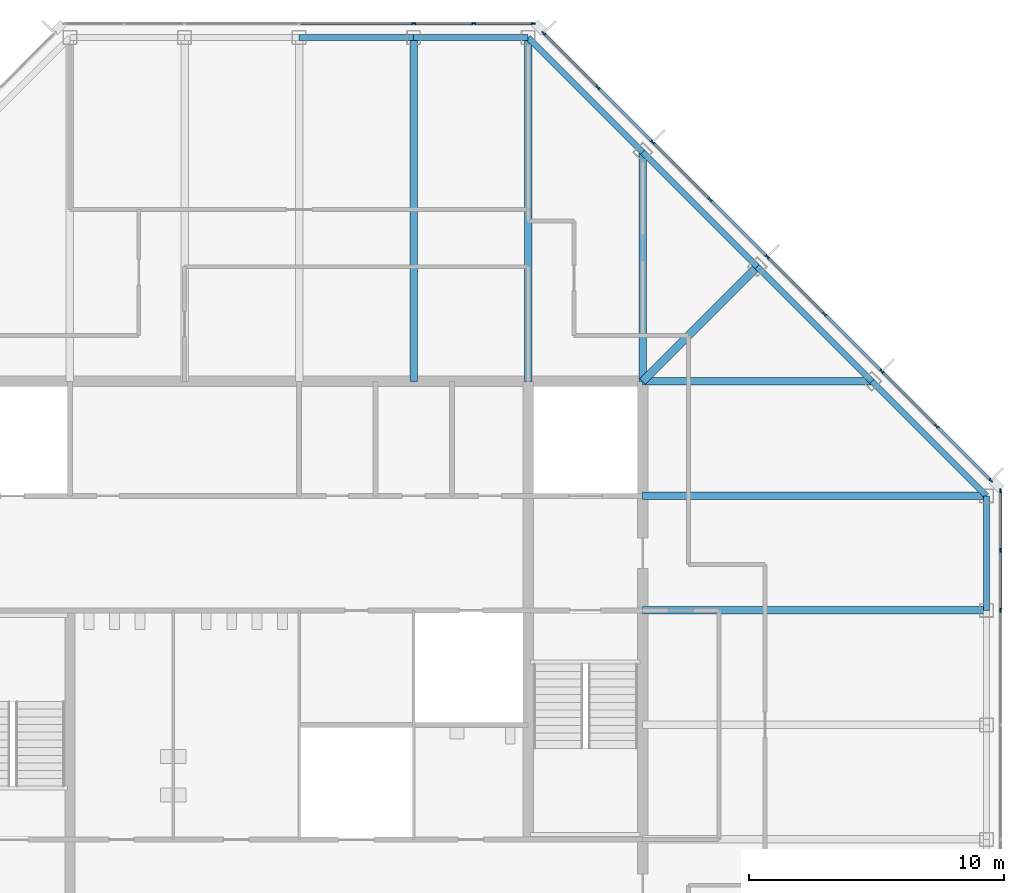
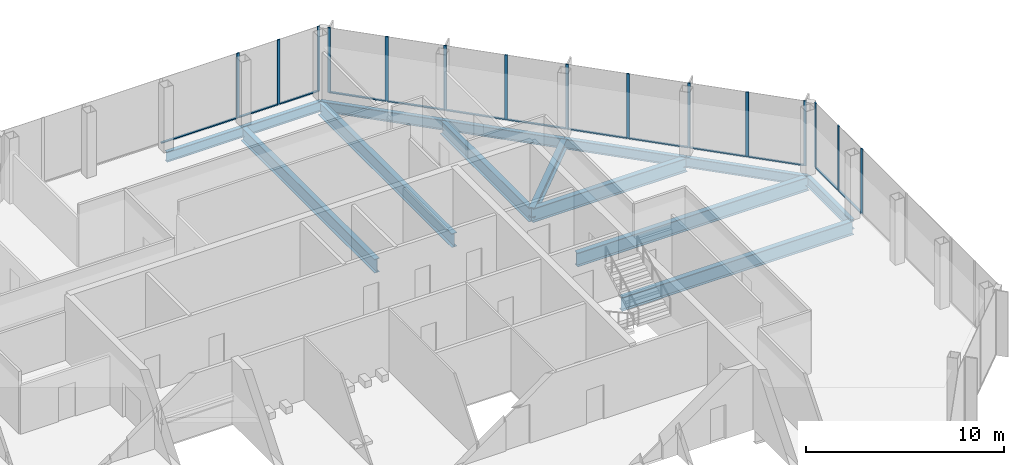
# One storey, part 7 of 13: 28 members, 14 beams, 3 elements without a shape of their own.
"""IFC4 building model written with IfcOpenShell, lengths in metres."""

import ifcopenshell
import ifcopenshell.guid

model = None  # the IFC model being written
_history = None  # IfcOwnerHistory: only IFC2X3 demands one
_inside = {}  # id of a spatial element -> (the spatial element, [elements in it])
_under = {}  # id of a project, library or spatial element -> (it, [spatial elements below it])
_declared = {}  # id of a project -> (the project, [libraries it declares])
_typed = {}  # id of a type object -> (the type object, [elements of that type])
_made_of = {}  # id of a material, layer set ... -> (it, [elements and type objects made of it])


def new_model(schema):
    """Start an empty IFC model of exactly this schema.

    Asked for "IFC4X3", IfcOpenShell would pick the latest addendum, in which some entities
    have other attributes; the version numbers below select the first issue.
    IFC2X3 requires an IfcOwnerHistory on every rooted entity: one is made here for all.
    """
    global model, _history
    if schema == "IFC4X3":
        model = ifcopenshell.file(schema_version=(4, 3, 0, 0))
    else:
        model = ifcopenshell.file(schema=schema)
    _inside.clear()
    _under.clear()
    _declared.clear()
    _typed.clear()
    _made_of.clear()
    _history = None
    if model.schema == "IFC2X3":
        org = make("IfcOrganization", Name="unknown")
        user = make(
            "IfcPersonAndOrganization",
            ThePerson=make("IfcPerson", FamilyName="unknown"),
            TheOrganization=org,
        )
        app = make(
            "IfcApplication",
            ApplicationDeveloper=org,
            Version="unknown",
            ApplicationFullName="unknown",
            ApplicationIdentifier="unknown",
        )
        _history = make(
            "IfcOwnerHistory",
            OwningUser=user,
            OwningApplication=app,
            ChangeAction="ADDED",
            CreationDate=0,
        )
    return model


def make(cls, **values):
    """One entity of the class cls with the attributes given. An attribute that is None is left unset."""
    return model.create_entity(
        cls, **{name: value for name, value in values.items() if value is not None}
    )


def rooted(cls, **values):
    """An entity with a GlobalId (a new one), such as an element, a storey or a relation."""
    return make(cls, GlobalId=ifcopenshell.guid.new(), OwnerHistory=_history, **values)


def si_unit(unit_type, name, prefix=None):
    """IfcSIUnit, for example si_unit("LENGTHUNIT", "METRE", prefix="MILLI")."""
    return make("IfcSIUnit", UnitType=unit_type, Prefix=prefix, Name=name)


def assignment(units):
    """IfcUnitAssignment: the units of a project."""
    return None if units is None else make("IfcUnitAssignment", Units=units)


def point(xyz):
    """IfcCartesianPoint."""
    return None if xyz is None else make("IfcCartesianPoint", Coordinates=xyz)


def direction(xyz):
    """IfcDirection."""
    return None if xyz is None else make("IfcDirection", DirectionRatios=xyz)


def frame(location, z_axis=None, x_axis=None):
    """IfcAxis2Placement3D, a coordinate frame: its origin and axes. An axis left out is left unset."""
    return make(
        "IfcAxis2Placement3D",
        Location=point(location),
        Axis=direction(z_axis),
        RefDirection=direction(x_axis),
    )


def frame_2d(location, x_axis=None):
    """IfcAxis2Placement2D, a coordinate frame in the plane: its origin and x axis."""
    return make(
        "IfcAxis2Placement2D", Location=point(location), RefDirection=direction(x_axis)
    )


def origin():
    """The frame at (0, 0, 0) with its axes left unset."""
    return frame((0.0, 0.0, 0.0))


def origin_2d():
    """The frame at (0, 0) in the plane with its x axis left unset."""
    return frame_2d((0.0, 0.0))


def place(relative_to, where):
    """IfcLocalPlacement: puts the frame where relative to a parent placement (None: the world)."""
    return make(
        "IfcLocalPlacement", PlacementRelTo=relative_to, RelativePlacement=where
    )


def context(
    kind, dimensions, precision=None, world=None, true_north=None, identifier=None
):
    """IfcGeometricRepresentationContext, for example the 3D "Model" context."""
    return make(
        "IfcGeometricRepresentationContext",
        ContextIdentifier=identifier,
        ContextType=kind,
        CoordinateSpaceDimension=dimensions,
        Precision=precision,
        WorldCoordinateSystem=world,
        TrueNorth=true_north,
    )


def subcontext(parent, identifier, kind, view, scale=None):
    """IfcGeometricRepresentationSubContext, for example "Body" below "Model"."""
    return make(
        "IfcGeometricRepresentationSubContext",
        ContextIdentifier=identifier,
        ContextType=kind,
        ParentContext=parent,
        TargetScale=scale,
        TargetView=view,
    )


def project(units=None, contexts=None):
    """IfcProject with its units and contexts."""
    return rooted(
        "IfcProject",
        Name="project",
        RepresentationContexts=contexts,
        UnitsInContext=assignment(units),
    )


def spatial(cls, under=None, at=None, **own):
    """A site, building, storey or space (cls), placed at a placement, below another one or the project."""
    s = rooted(cls, ObjectPlacement=at, **own)
    if under is not None:
        _under.setdefault(under.id(), (under, []))[1].append(s)
    return s


def profile(cls, at=None, kind="AREA", **sizes):
    """A parametric profile (cls). Its sizes go by their IFC names, for example OverallWidth=200.0."""
    return make(cls, ProfileType=kind, Position=at, **sizes)


def rectangle(**sizes):
    """IfcRectangleProfileDef."""
    return profile("IfcRectangleProfileDef", **sizes)


def i_section(**sizes):
    """IfcIShapeProfileDef."""
    return profile("IfcIShapeProfileDef", **sizes)


def extrude(swept, where, along, depth):
    """IfcExtrudedAreaSolid: the profile swept, set in the frame where, extruded along a direction by depth."""
    return make(
        "IfcExtrudedAreaSolid",
        SweptArea=swept,
        Position=where,
        ExtrudedDirection=direction(along),
        Depth=depth,
    )


def shape(context_of_items, identifier, shape_type, items):
    """IfcShapeRepresentation: the items that make up one representation, for example the "Body"."""
    return make(
        "IfcShapeRepresentation",
        ContextOfItems=context_of_items,
        RepresentationIdentifier=identifier,
        RepresentationType=shape_type,
        Items=items,
    )


def material(Name=None, Category=None):
    """IfcMaterial."""
    return make("IfcMaterial", Name=Name, Category=Category)


def material_profile(
    of_material, cross_section, Name=None, Category=None, Priority=None
):
    """IfcMaterialProfile: a cross section and its material."""
    return make(
        "IfcMaterialProfile",
        Name=Name,
        Material=of_material,
        Profile=cross_section,
        Priority=Priority,
        Category=Category,
    )


def profile_set(profiles, Name=None, composite=None):
    """IfcMaterialProfileSet."""
    return make(
        "IfcMaterialProfileSet",
        Name=Name,
        MaterialProfiles=profiles,
        CompositeProfile=composite,
    )


def made_of(thing, what):
    """Note that an element or type object is made of a material, layer set ...; save() writes the relation."""
    if what is not None:
        _made_of.setdefault(what.id(), (what, []))[1].append(thing)
    return thing


def type_object(cls, material=None, **own):
    """A type object (cls), such as IfcWallType, which elements share."""
    return made_of(rooted(cls, **own), material)


def element(
    cls,
    number,
    at=None,
    inside=None,
    cuts=None,
    type_object=None,
    material=None,
    context=None,
    identifier="Body",
    shape_type=None,
    held_by="IfcProductDefinitionShape",
    body=None,
    shapes=None,
    **own,
):
    """One element of the class cls, such as IfcWall. Its Tag is "e" and its number.

    at: its placement. inside: the storey or other place that contains it. cuts: it is an
    opening in that element (IfcRelVoidsElement). A single representation is given by context,
    identifier, shape_type and body (its items); several are given by shapes. held_by: the class
    of the entity that holds the representations. save() writes the other relations.
    """
    e = rooted(cls, Tag="e%d" % number, ObjectPlacement=at, **own)
    if body is not None:
        shapes = [shape(context, identifier, shape_type, body)]
    if shapes is not None:
        e.Representation = make(held_by, Representations=shapes)
    if inside is not None:
        _inside.setdefault(inside.id(), (inside, []))[1].append(e)
    if cuts is not None:
        rooted(
            "IfcRelVoidsElement", RelatingBuildingElement=cuts, RelatedOpeningElement=e
        )
    if type_object is not None:
        _typed.setdefault(type_object.id(), (type_object, []))[1].append(e)
    return made_of(e, material)


def aggregate(whole, parts):
    """IfcRelAggregates: a whole, such as a stair, and the parts it consists of."""
    return rooted("IfcRelAggregates", RelatingObject=whole, RelatedObjects=parts)


def save(model, path):
    """Write the relations noted so far, then the file.

    IfcRelAggregates (storeys below a building ...), IfcRelContainedInSpatialStructure (elements
    in a storey), IfcRelDefinesByType, IfcRelAssociatesMaterial and IfcRelDeclares: one each for
    every whole, place, type object, material and project.
    """
    for whole, parts in _under.values():
        aggregate(whole, parts)
    for where, things in _inside.values():
        rooted(
            "IfcRelContainedInSpatialStructure",
            RelatedElements=things,
            RelatingStructure=where,
        )
    for kind, things in _typed.values():
        rooted("IfcRelDefinesByType", RelatedObjects=things, RelatingType=kind)
    for what, things in _made_of.values():
        rooted("IfcRelAssociatesMaterial", RelatedObjects=things, RelatingMaterial=what)
    for by, libraries in _declared.values():
        rooted("IfcRelDeclares", RelatingContext=by, RelatedDefinitions=libraries)
    model.write(path)


model = new_model("IFC4")

# Units and contexts
model_context = context("Model", 3, precision=1e-05, world=origin(), true_north=direction((0.0, 1.0)))
body_context = subcontext(model_context, "Body", "Model", "MODEL_VIEW")
ifc_project = project(units=[si_unit("LENGTHUNIT", "METRE"), si_unit("AREAUNIT", "SQUARE_METRE"), si_unit("VOLUMEUNIT", "CUBIC_METRE"), si_unit("PLANEANGLEUNIT", "RADIAN"), si_unit("MASSUNIT", "GRAM", prefix="KILO")], contexts=[model_context])

# Site, building, storey
site_placement = place(None, origin())
site = spatial("IfcSite", under=ifc_project, at=site_placement, CompositionType="ELEMENT")
building_placement = place(site_placement, origin())
building = spatial("IfcBuilding", under=site, at=building_placement, Name="Corais Broadcast Tower", CompositionType="ELEMENT")
storey_placement = place(building_placement, frame((0.0, 0.0, 302.60009765625)))
storey = spatial("IfcBuildingStorey", under=building, at=storey_placement, Name="L71", CompositionType="ELEMENT", Elevation=302.60009765625)

# Beams
ifc_material_1 = material(Name="Steel ASTM A572 Grade 50", Category="steel")
ifc_material_profile_1 = material_profile(ifc_material_1, i_section(OverallWidth=0.323974609375, OverallDepth=0.611083984375, WebThickness=0.0126953125, FlangeThickness=0.01904296875, at=origin_2d()), Name="W610x155")
ifc_profile_set_1 = profile_set([ifc_material_profile_1], Name="Steel ASTM A572 Grade 50")
beam_type_1 = type_object("IfcBeamType", Name="Corner diagonal W610x155", PredefinedType="BEAM", material=ifc_profile_set_1)
beam_1_placement = place(storey_placement, frame((45.0, 45.0, -0.465576171875), z_axis=(-0.707106781187, -0.707106781187, 0.0), x_axis=(0.707106781187, -0.707106781187, 0.0)))
element("IfcBeam", 1, at=beam_1_placement, inside=storey, type_object=beam_type_1, Name="B6 L/13 to K/12", PredefinedType="BEAM", context=body_context, shape_type="SweptSolid", body=[
    extrude(i_section(OverallWidth=0.323974609375, OverallDepth=0.611083984375, WebThickness=0.0126953125, FlangeThickness=0.01904296875, at=origin_2d()), origin(), (0.0, 0.0, 1.0), 6.364013671875),
])
ifc_material_2 = material(Name="Steel ASTM A572 Grade 50", Category="steel")
ifc_material_profile_2 = material_profile(ifc_material_2, i_section(OverallWidth=0.2939453125, OverallDepth=0.85107421875, WebThickness=0.01611328125, FlangeThickness=0.02685546875, at=origin_2d()), Name="W840x226")
ifc_profile_set_2 = profile_set([ifc_material_profile_2], Name="Steel ASTM A572 Grade 50")
beam_type_2 = type_object("IfcBeamType", Name="Floor beam W840x226", PredefinedType="BEAM", material=ifc_profile_set_2)
for number, where, z_axis, x_axis, name in (
    (2, (31.5, 54.0, -0.585693359375), (0.0, -1.0, 0.0), (1.0, 0.0, 0.0), "B1 N/10 to K/10"),
    (3, (36.0, 54.0, -0.585693359375), (0.0, -1.0, 0.0), (1.0, 0.0, 0.0), "B1 N/11 to K/11"),
):
    element("IfcBeam", number, at=place(storey_placement, frame(where, z_axis=z_axis, x_axis=x_axis)), inside=storey, type_object=beam_type_2, Name=name, PredefinedType="BEAM", context=body_context, shape_type="SweptSolid", body=[
        extrude(i_section(OverallWidth=0.2939453125, OverallDepth=0.85107421875, WebThickness=0.01611328125, FlangeThickness=0.02685546875, at=origin_2d()), origin(), (0.0, 0.0, 1.0), 13.5),
    ])
for number, where, z_axis, x_axis, name in (
    (4, (40.5, 49.5, -0.585693359375), (0.0, -1.0, 0.0), (1.0, 0.0, 0.0), "B1 M/12 to K/12"),
    (5, (49.5, 40.5, -0.585693359375), (-1.0, 0.0, 0.0), (0.0, -1.0, 0.0), "B1 K/14 to K/12"),
):
    element("IfcBeam", number, at=place(storey_placement, frame(where, z_axis=z_axis, x_axis=x_axis)), inside=storey, type_object=beam_type_2, Name=name, PredefinedType="BEAM", context=body_context, shape_type="SweptSolid", body=[
        extrude(i_section(OverallWidth=0.2939453125, OverallDepth=0.85107421875, WebThickness=0.01611328125, FlangeThickness=0.02685546875, at=origin_2d()), origin(), (0.0, 0.0, 1.0), 9.0),
    ])
for number, where, z_axis, x_axis, name in (
    (6, (54.0, 31.5, -0.585693359375), (-1.0, 0.0, 0.0), (0.0, -1.0, 0.0), "B1 H/15 to H/12"),
    (7, (54.0, 36.0, -0.585693359375), (-1.0, 0.0, 0.0), (0.0, -1.0, 0.0), "B1 J/15 to J/12"),
):
    element("IfcBeam", number, at=place(storey_placement, frame(where, z_axis=z_axis, x_axis=x_axis)), inside=storey, type_object=beam_type_2, Name=name, PredefinedType="BEAM", context=body_context, shape_type="SweptSolid", body=[
        extrude(i_section(OverallWidth=0.2939453125, OverallDepth=0.85107421875, WebThickness=0.01611328125, FlangeThickness=0.02685546875, at=origin_2d()), origin(), (0.0, 0.0, 1.0), 13.5),
    ])

# Curtain wall, members
ifc_material_3 = material(Name="Aluminium and glass", Category="aluminium")
curtain_wall_type = type_object("IfcCurtainWallType", Name="Unitised fritted curtain wall CW3", PredefinedType="NOTDEFINED", material=ifc_material_3)
curtain_wall_1_placement = place(storey_placement, origin())
curtain_wall_1 = element("IfcCurtainWall", 8, at=curtain_wall_1_placement, inside=storey, type_object=curtain_wall_type, Name="CW3 curtain wall L71 4", PredefinedType="NOTDEFINED")
ifc_material_4 = material(Name="Aluminium 6063-T6", Category="aluminium")
ifc_material_profile_3 = material_profile(ifc_material_4, rectangle(XDim=0.06494140625, YDim=0.159912109375, at=origin_2d()), Name="Mullion CW3 65x160")
ifc_profile_set_3 = profile_set([ifc_material_profile_3], Name="Aluminium 6063-T6")
member_type_1 = type_object("IfcMemberType", Name="Mullion CW3 65x160", PredefinedType="MULLION", material=ifc_profile_set_3)
member_1_placement = place(storey_placement, frame((31.5, 54.550048828125, 0.0), z_axis=(0.0, 0.0, 1.0), x_axis=(0.0, 1.0, 0.0)))
member_1 = element("IfcMember", 9, at=member_1_placement, type_object=member_type_1, Name="CW3 mullion 5", PredefinedType="MULLION", context=body_context, shape_type="SweptSolid", body=[
    extrude(rectangle(XDim=0.06494140625, YDim=0.159912109375, at=origin_2d()), origin(), (0.0, 0.0, 1.0), 4.0),
])
member_2_placement = place(storey_placement, frame((33.864013671875, 54.550048828125, 0.0), z_axis=(0.0, 0.0, 1.0), x_axis=(0.0, 1.0, 0.0)))
member_2 = element("IfcMember", 10, at=member_2_placement, type_object=member_type_1, Name="CW3 mullion 6", PredefinedType="MULLION", context=body_context, shape_type="SweptSolid", body=[
    extrude(rectangle(XDim=0.06494140625, YDim=0.159912109375, at=origin_2d()), origin(), (0.0, 0.0, 1.0), 4.0),
])
member_3_placement = place(storey_placement, frame((36.1953125, 54.550048828125, 0.0), z_axis=(0.0, 0.0, 1.0), x_axis=(0.0, 1.0, 0.0)))
member_3 = element("IfcMember", 11, at=member_3_placement, type_object=member_type_1, Name="CW3 mullion 7", PredefinedType="MULLION", context=body_context, shape_type="SweptSolid", body=[
    extrude(rectangle(XDim=0.06494140625, YDim=0.159912109375, at=origin_2d()), origin(), (0.0, 0.0, 1.0), 4.0),
])

curtain_wall_2_placement = place(storey_placement, origin())
curtain_wall_2 = element("IfcCurtainWall", 12, at=curtain_wall_2_placement, inside=storey, type_object=curtain_wall_type, Name="CW3 curtain wall L71 5", PredefinedType="NOTDEFINED")
member_4_placement = place(storey_placement, frame((36.6044921875, 54.17333984375, 0.0), z_axis=(0.0, 0.0, 1.0), x_axis=(0.707106781187, 0.707106781187, 0.0)))
member_4 = element("IfcMember", 13, at=member_4_placement, type_object=member_type_1, Name="CW3 mullion 1", PredefinedType="MULLION", context=body_context, shape_type="SweptSolid", body=[
    extrude(rectangle(XDim=0.06494140625, YDim=0.159912109375, at=origin_2d()), origin(), (0.0, 0.0, 1.0), 4.0),
])
member_5_placement = place(storey_placement, frame((38.735107421875, 52.042724609375, 0.0), z_axis=(0.0, 0.0, 1.0), x_axis=(0.707106781187, 0.707106781187, 0.0)))
member_5 = element("IfcMember", 14, at=member_5_placement, type_object=member_type_1, Name="CW3 mullion 2", PredefinedType="MULLION", context=body_context, shape_type="SweptSolid", body=[
    extrude(rectangle(XDim=0.06494140625, YDim=0.159912109375, at=origin_2d()), origin(), (0.0, 0.0, 1.0), 4.0),
])
member_6_placement = place(storey_placement, frame((40.888916015625, 49.888916015625, 0.0), z_axis=(0.0, 0.0, 1.0), x_axis=(0.707106781187, 0.707106781187, 0.0)))
member_6 = element("IfcMember", 15, at=member_6_placement, type_object=member_type_1, Name="CW3 mullion 3", PredefinedType="MULLION", context=body_context, shape_type="SweptSolid", body=[
    extrude(rectangle(XDim=0.06494140625, YDim=0.159912109375, at=origin_2d()), origin(), (0.0, 0.0, 1.0), 4.0),
])
member_7_placement = place(storey_placement, frame((43.138916015625, 47.638916015625, 0.0), z_axis=(0.0, 0.0, 1.0), x_axis=(0.707106781187, 0.707106781187, 0.0)))
member_7 = element("IfcMember", 16, at=member_7_placement, type_object=member_type_1, Name="CW3 mullion 4", PredefinedType="MULLION", context=body_context, shape_type="SweptSolid", body=[
    extrude(rectangle(XDim=0.06494140625, YDim=0.159912109375, at=origin_2d()), origin(), (0.0, 0.0, 1.0), 4.0),
])
member_8_placement = place(storey_placement, frame((45.388916015625, 45.388916015625, 0.0), z_axis=(0.0, 0.0, 1.0), x_axis=(0.707106781187, 0.707106781187, 0.0)))
member_8 = element("IfcMember", 17, at=member_8_placement, type_object=member_type_1, Name="CW3 mullion 5", PredefinedType="MULLION", context=body_context, shape_type="SweptSolid", body=[
    extrude(rectangle(XDim=0.06494140625, YDim=0.159912109375, at=origin_2d()), origin(), (0.0, 0.0, 1.0), 4.0),
])
member_9_placement = place(storey_placement, frame((47.638916015625, 43.138916015625, 0.0), z_axis=(0.0, 0.0, 1.0), x_axis=(0.707106781187, 0.707106781187, 0.0)))
member_9 = element("IfcMember", 18, at=member_9_placement, type_object=member_type_1, Name="CW3 mullion 6", PredefinedType="MULLION", context=body_context, shape_type="SweptSolid", body=[
    extrude(rectangle(XDim=0.06494140625, YDim=0.159912109375, at=origin_2d()), origin(), (0.0, 0.0, 1.0), 4.0),
])
member_10_placement = place(storey_placement, frame((49.888916015625, 40.888916015625, 0.0), z_axis=(0.0, 0.0, 1.0), x_axis=(0.707106781187, 0.707106781187, 0.0)))
member_10 = element("IfcMember", 19, at=member_10_placement, type_object=member_type_1, Name="CW3 mullion 7", PredefinedType="MULLION", context=body_context, shape_type="SweptSolid", body=[
    extrude(rectangle(XDim=0.06494140625, YDim=0.159912109375, at=origin_2d()), origin(), (0.0, 0.0, 1.0), 4.0),
])
member_11_placement = place(storey_placement, frame((52.042724609375, 38.735107421875, 0.0), z_axis=(0.0, 0.0, 1.0), x_axis=(0.707106781187, 0.707106781187, 0.0)))
member_11 = element("IfcMember", 20, at=member_11_placement, type_object=member_type_1, Name="CW3 mullion 8", PredefinedType="MULLION", context=body_context, shape_type="SweptSolid", body=[
    extrude(rectangle(XDim=0.06494140625, YDim=0.159912109375, at=origin_2d()), origin(), (0.0, 0.0, 1.0), 4.0),
])
member_12_placement = place(storey_placement, frame((54.17333984375, 36.6044921875, 0.0), z_axis=(0.0, 0.0, 1.0), x_axis=(0.707106781187, 0.707106781187, 0.0)))
member_12 = element("IfcMember", 21, at=member_12_placement, type_object=member_type_1, Name="CW3 mullion 9", PredefinedType="MULLION", context=body_context, shape_type="SweptSolid", body=[
    extrude(rectangle(XDim=0.06494140625, YDim=0.159912109375, at=origin_2d()), origin(), (0.0, 0.0, 1.0), 4.0),
])

curtain_wall_3_placement = place(storey_placement, origin())
curtain_wall_3 = element("IfcCurtainWall", 22, at=curtain_wall_3_placement, inside=storey, type_object=curtain_wall_type, Name="CW3 curtain wall L71 6", PredefinedType="NOTDEFINED")
member_13_placement = place(storey_placement, frame((54.550048828125, 36.1953125, 0.0), z_axis=(0.0, 0.0, 1.0), x_axis=(1.0, 0.0, 0.0)))
member_13 = element("IfcMember", 23, at=member_13_placement, type_object=member_type_1, Name="CW3 mullion 1", PredefinedType="MULLION", context=body_context, shape_type="SweptSolid", body=[
    extrude(rectangle(XDim=0.06494140625, YDim=0.159912109375, at=origin_2d()), origin(), (0.0, 0.0, 1.0), 4.0),
])
member_14_placement = place(storey_placement, frame((54.550048828125, 33.864013671875, 0.0), z_axis=(0.0, 0.0, 1.0), x_axis=(1.0, 0.0, 0.0)))
member_14 = element("IfcMember", 24, at=member_14_placement, type_object=member_type_1, Name="CW3 mullion 2", PredefinedType="MULLION", context=body_context, shape_type="SweptSolid", body=[
    extrude(rectangle(XDim=0.06494140625, YDim=0.159912109375, at=origin_2d()), origin(), (0.0, 0.0, 1.0), 4.0),
])
member_15_placement = place(storey_placement, frame((54.550048828125, 31.5, 0.0), z_axis=(0.0, 0.0, 1.0), x_axis=(1.0, 0.0, 0.0)))
member_15 = element("IfcMember", 25, at=member_15_placement, type_object=member_type_1, Name="CW3 mullion 3", PredefinedType="MULLION", context=body_context, shape_type="SweptSolid", body=[
    extrude(rectangle(XDim=0.06494140625, YDim=0.159912109375, at=origin_2d()), origin(), (0.0, 0.0, 1.0), 4.0),
])

# Beams
ifc_material_5 = material(Name="Steel ASTM A572 Grade 50", Category="steel")
ifc_material_profile_4 = material_profile(ifc_material_5, i_section(OverallWidth=0.22998046875, OverallDepth=0.616943359375, WebThickness=0.01318359375, FlangeThickness=0.022216796875, at=origin_2d()), Name="W610x140")
ifc_profile_set_4 = profile_set([ifc_material_profile_4], Name="Steel ASTM A572 Grade 50")
beam_type_3 = type_object("IfcBeamType", Name="Spandrel W610x140", PredefinedType="BEAM", material=ifc_profile_set_4)
for number, where, z_axis, x_axis, name in (
    (26, (31.5, 54.0, -0.468505859375), (-1.0, 0.0, 0.0), (0.0, -1.0, 0.0), "SB3 N/10 to N/9"),
    (27, (36.0, 54.0, -0.468505859375), (-1.0, 0.0, 0.0), (0.0, -1.0, 0.0), "SB3 N/11 to N/10"),
):
    element("IfcBeam", number, at=place(storey_placement, frame(where, z_axis=z_axis, x_axis=x_axis)), inside=storey, type_object=beam_type_3, Name=name, PredefinedType="BEAM", context=body_context, shape_type="SweptSolid", body=[
        extrude(i_section(OverallWidth=0.22998046875, OverallDepth=0.616943359375, WebThickness=0.01318359375, FlangeThickness=0.022216796875, at=origin_2d()), origin(), (0.0, 0.0, 1.0), 4.5),
    ])
for number, where, z_axis, x_axis, name in (
    (28, (40.5, 49.5, -0.468505859375), (-0.707106781187, 0.707106781187, 0.0), (-0.707106781187, -0.707106781187, 0.0), "SB3 M/12 to N/11"),
    (29, (45.0, 45.0, -0.468505859375), (-0.707106781187, 0.707106781187, 0.0), (-0.707106781187, -0.707106781187, 0.0), "SB3 L/13 to M/12"),
    (30, (49.5, 40.5, -0.468505859375), (-0.707106781187, 0.707106781187, 0.0), (-0.707106781187, -0.707106781187, 0.0), "SB3 K/14 to L/13"),
):
    element("IfcBeam", number, at=place(storey_placement, frame(where, z_axis=z_axis, x_axis=x_axis)), inside=storey, type_object=beam_type_3, Name=name, PredefinedType="BEAM", context=body_context, shape_type="SweptSolid", body=[
        extrude(i_section(OverallWidth=0.22998046875, OverallDepth=0.616943359375, WebThickness=0.01318359375, FlangeThickness=0.022216796875, at=origin_2d()), origin(), (0.0, 0.0, 1.0), 6.364013671875),
    ])
beam_2_placement = place(storey_placement, frame((54.0, 31.5, -0.468505859375), z_axis=(0.0, 1.0, 0.0), x_axis=(-1.0, 0.0, 0.0)))
element("IfcBeam", 31, at=beam_2_placement, inside=storey, type_object=beam_type_3, Name="SB3 H/15 to J/15", PredefinedType="BEAM", context=body_context, shape_type="SweptSolid", body=[
    extrude(i_section(OverallWidth=0.22998046875, OverallDepth=0.616943359375, WebThickness=0.01318359375, FlangeThickness=0.022216796875, at=origin_2d()), origin(), (0.0, 0.0, 1.0), 4.5),
])
beam_3_placement = place(storey_placement, frame((54.0, 36.0, -0.468505859375), z_axis=(-0.707106781187, 0.707106781187, 0.0), x_axis=(-0.707106781187, -0.707106781187, 0.0)))
element("IfcBeam", 32, at=beam_3_placement, inside=storey, type_object=beam_type_3, Name="SB3 J/15 to K/14", PredefinedType="BEAM", context=body_context, shape_type="SweptSolid", body=[
    extrude(i_section(OverallWidth=0.22998046875, OverallDepth=0.616943359375, WebThickness=0.01318359375, FlangeThickness=0.022216796875, at=origin_2d()), origin(), (0.0, 0.0, 1.0), 6.364013671875),
])

# Member
ifc_material_6 = material(Name="Aluminium 6063-T6", Category="aluminium")
ifc_material_profile_5 = material_profile(ifc_material_6, rectangle(XDim=0.1201171875, YDim=0.06494140625, at=origin_2d()), Name="Transom CW3 65x120")
ifc_profile_set_5 = profile_set([ifc_material_profile_5], Name="Aluminium 6063-T6")
member_type_2 = type_object("IfcMemberType", Name="Transom CW3 65x120", PredefinedType="USERDEFINED", material=ifc_profile_set_5)
member_16_placement = place(storey_placement, frame((27.032470703125, 54.550048828125, 0.032470703125), z_axis=(1.0, 0.0, 0.0), x_axis=(0.0, 1.0, 0.0)))
member_16 = element("IfcMember", 33, at=member_16_placement, type_object=member_type_2, Name="CW3 transom 4.1", ObjectType="TRANSOM", PredefinedType="USERDEFINED", context=body_context, shape_type="SweptSolid", body=[
    extrude(rectangle(XDim=0.1201171875, YDim=0.06494140625, at=origin_2d()), origin(), (0.0, 0.0, 1.0), 4.43505859375),
])

member_17_placement = place(storey_placement, frame((31.532470703125, 54.550048828125, 0.032470703125), z_axis=(1.0, 0.0, 0.0), x_axis=(0.0, 1.0, 0.0)))
member_17 = element("IfcMember", 34, at=member_17_placement, type_object=member_type_2, Name="CW3 transom 5.1", ObjectType="TRANSOM", PredefinedType="USERDEFINED", context=body_context, shape_type="SweptSolid", body=[
    extrude(rectangle(XDim=0.1201171875, YDim=0.06494140625, at=origin_2d()), origin(), (0.0, 0.0, 1.0), 2.298828125),
])

member_18_placement = place(storey_placement, frame((33.896484375, 54.550048828125, 0.032470703125), z_axis=(1.0, 0.0, 0.0), x_axis=(0.0, 1.0, 0.0)))
member_18 = element("IfcMember", 35, at=member_18_placement, type_object=member_type_2, Name="CW3 transom 6.1", ObjectType="TRANSOM", PredefinedType="USERDEFINED", context=body_context, shape_type="SweptSolid", body=[
    extrude(rectangle(XDim=0.1201171875, YDim=0.06494140625, at=origin_2d()), origin(), (0.0, 0.0, 1.0), 2.266357421875),
])

aggregate(curtain_wall_1, [member_1, member_2, member_3, member_16, member_17, member_18])

member_19_placement = place(storey_placement, frame((36.62744140625, 54.150390625, 0.032470703125), z_axis=(0.707106781187, -0.707106781187, 0.0), x_axis=(0.707106781187, 0.707106781187, 0.0)))
member_19 = element("IfcMember", 36, at=member_19_placement, type_object=member_type_2, Name="CW3 transom 1.1", ObjectType="TRANSOM", PredefinedType="USERDEFINED", context=body_context, shape_type="SweptSolid", body=[
    extrude(rectangle(XDim=0.1201171875, YDim=0.06494140625, at=origin_2d()), origin(), (0.0, 0.0, 1.0), 2.9482421875),
])

member_20_placement = place(storey_placement, frame((38.758056640625, 52.019775390625, 0.032470703125), z_axis=(0.707106781187, -0.707106781187, 0.0), x_axis=(0.707106781187, 0.707106781187, 0.0)))
member_20 = element("IfcMember", 37, at=member_20_placement, type_object=member_type_2, Name="CW3 transom 2.1", ObjectType="TRANSOM", PredefinedType="USERDEFINED", context=body_context, shape_type="SweptSolid", body=[
    extrude(rectangle(XDim=0.1201171875, YDim=0.06494140625, at=origin_2d()), origin(), (0.0, 0.0, 1.0), 2.98095703125),
])

member_21_placement = place(storey_placement, frame((40.911865234375, 49.865966796875, 0.032470703125), z_axis=(0.707106781187, -0.707106781187, 0.0), x_axis=(0.707106781187, 0.707106781187, 0.0)))
member_21 = element("IfcMember", 38, at=member_21_placement, type_object=member_type_2, Name="CW3 transom 3.1", ObjectType="TRANSOM", PredefinedType="USERDEFINED", context=body_context, shape_type="SweptSolid", body=[
    extrude(rectangle(XDim=0.1201171875, YDim=0.06494140625, at=origin_2d()), origin(), (0.0, 0.0, 1.0), 3.1171875),
])

member_22_placement = place(storey_placement, frame((43.161865234375, 47.615966796875, 0.032470703125), z_axis=(0.707106781187, -0.707106781187, 0.0), x_axis=(0.707106781187, 0.707106781187, 0.0)))
member_22 = element("IfcMember", 39, at=member_22_placement, type_object=member_type_2, Name="CW3 transom 4.1", ObjectType="TRANSOM", PredefinedType="USERDEFINED", context=body_context, shape_type="SweptSolid", body=[
    extrude(rectangle(XDim=0.1201171875, YDim=0.06494140625, at=origin_2d()), origin(), (0.0, 0.0, 1.0), 3.1171875),
])

member_23_placement = place(storey_placement, frame((45.411865234375, 45.365966796875, 0.032470703125), z_axis=(0.707106781187, -0.707106781187, 0.0), x_axis=(0.707106781187, 0.707106781187, 0.0)))
member_23 = element("IfcMember", 40, at=member_23_placement, type_object=member_type_2, Name="CW3 transom 5.1", ObjectType="TRANSOM", PredefinedType="USERDEFINED", context=body_context, shape_type="SweptSolid", body=[
    extrude(rectangle(XDim=0.1201171875, YDim=0.06494140625, at=origin_2d()), origin(), (0.0, 0.0, 1.0), 3.1171875),
])

member_24_placement = place(storey_placement, frame((47.661865234375, 43.115966796875, 0.032470703125), z_axis=(0.707106781187, -0.707106781187, 0.0), x_axis=(0.707106781187, 0.707106781187, 0.0)))
member_24 = element("IfcMember", 41, at=member_24_placement, type_object=member_type_2, Name="CW3 transom 6.1", ObjectType="TRANSOM", PredefinedType="USERDEFINED", context=body_context, shape_type="SweptSolid", body=[
    extrude(rectangle(XDim=0.1201171875, YDim=0.06494140625, at=origin_2d()), origin(), (0.0, 0.0, 1.0), 3.1171875),
])

member_25_placement = place(storey_placement, frame((49.911865234375, 40.865966796875, 0.032470703125), z_axis=(0.707065828661, -0.70714773134, 0.0), x_axis=(0.70714773134, 0.707065828661, 0.0)))
member_25 = element("IfcMember", 42, at=member_25_placement, type_object=member_type_2, Name="CW3 transom 7.1", ObjectType="TRANSOM", PredefinedType="USERDEFINED", context=body_context, shape_type="SweptSolid", body=[
    extrude(rectangle(XDim=0.1201171875, YDim=0.06494140625, at=origin_2d()), origin(), (0.0, 0.0, 1.0), 2.98095703125),
])

member_26_placement = place(storey_placement, frame((52.065673828125, 38.712158203125, 0.032470703125), z_axis=(0.707106781187, -0.707106781187, 0.0), x_axis=(0.707106781187, 0.707106781187, 0.0)))
member_26 = element("IfcMember", 43, at=member_26_placement, type_object=member_type_2, Name="CW3 transom 8.1", ObjectType="TRANSOM", PredefinedType="USERDEFINED", context=body_context, shape_type="SweptSolid", body=[
    extrude(rectangle(XDim=0.1201171875, YDim=0.06494140625, at=origin_2d()), origin(), (0.0, 0.0, 1.0), 2.9482421875),
])

aggregate(curtain_wall_2, [member_4, member_5, member_6, member_7, member_8, member_9, member_10, member_11, member_12, member_19, member_20, member_21, member_22, member_23, member_24, member_25, member_26])

member_27_placement = place(storey_placement, frame((54.550048828125, 36.162841796875, 0.032470703125), z_axis=(0.0, -1.0, 0.0), x_axis=(1.0, 0.0, 0.0)))
member_27 = element("IfcMember", 44, at=member_27_placement, type_object=member_type_2, Name="CW3 transom 1.1", ObjectType="TRANSOM", PredefinedType="USERDEFINED", context=body_context, shape_type="SweptSolid", body=[
    extrude(rectangle(XDim=0.1201171875, YDim=0.06494140625, at=origin_2d()), origin(), (0.0, 0.0, 1.0), 2.266357421875),
])

member_28_placement = place(storey_placement, frame((54.550048828125, 33.831298828125, 0.032470703125), z_axis=(0.0, -1.0, 0.0), x_axis=(1.0, 0.0, 0.0)))
member_28 = element("IfcMember", 45, at=member_28_placement, type_object=member_type_2, Name="CW3 transom 2.1", ObjectType="TRANSOM", PredefinedType="USERDEFINED", context=body_context, shape_type="SweptSolid", body=[
    extrude(rectangle(XDim=0.1201171875, YDim=0.06494140625, at=origin_2d()), origin(), (0.0, 0.0, 1.0), 2.298828125),
])

aggregate(curtain_wall_3, [member_13, member_14, member_15, member_27, member_28])

save(model, "model.ifc")
